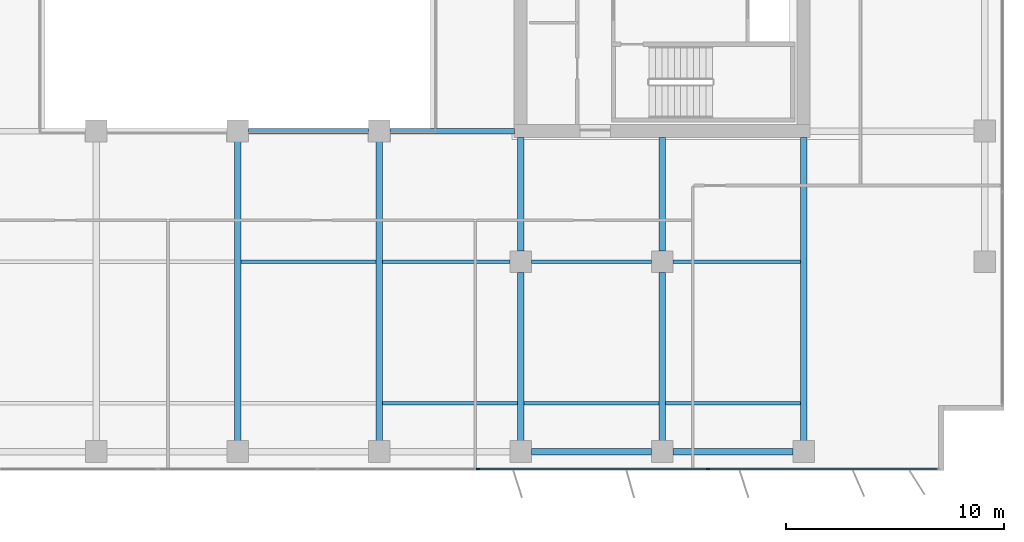
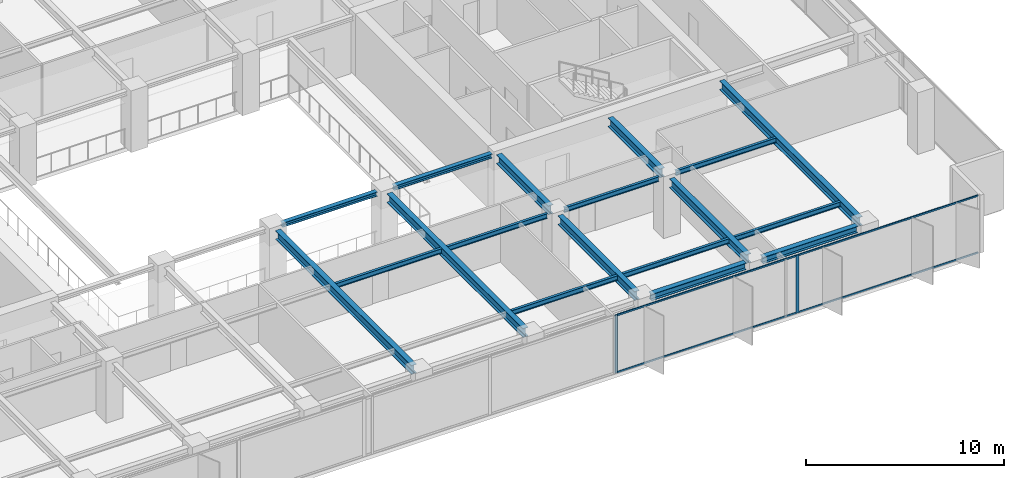
# One storey, part 6 of 22: 18 beams, 6 members, 1 element without a shape of its own.
"""IFC4 building model written with IfcOpenShell, lengths in metres."""

from ifc_helpers import new_model, si_unit, direction, frame, origin, origin_2d, place, context, subcontext, project, spatial, rectangle, i_section, extrude, material, layer, layer_set, material_profile, profile_set, type_object, element, aggregate, save


model = new_model("IFC4")

# Units and contexts
model_context = context("Model", 3, precision=1e-05, world=origin(), true_north=direction((0.0, 1.0)))
body_context = subcontext(model_context, "Body", "Model", "MODEL_VIEW")
ifc_project = project(units=[si_unit("LENGTHUNIT", "METRE"), si_unit("AREAUNIT", "SQUARE_METRE"), si_unit("VOLUMEUNIT", "CUBIC_METRE"), si_unit("PLANEANGLEUNIT", "RADIAN"), si_unit("MASSUNIT", "GRAM", prefix="KILO")], contexts=[model_context])

# Site, building, storey
site_placement = place(None, origin())
site = spatial("IfcSite", under=ifc_project, at=site_placement, CompositionType="ELEMENT")
building_placement = place(site_placement, origin())
building = spatial("IfcBuilding", under=site, at=building_placement, Name="Putna Gate Headquarters", CompositionType="ELEMENT")
storey_placement = place(building_placement, frame((0.0, 0.0, 155.60009765625)))
storey = spatial("IfcBuildingStorey", under=building, at=storey_placement, Name="L38", CompositionType="ELEMENT", Elevation=155.60009765625)

# Beams
ifc_material_1 = material(Name="Steel S355J2", Category="steel")
ifc_material_profile_1 = material_profile(ifc_material_1, i_section(OverallWidth=0.260009765625, OverallDepth=0.260009765625, WebThickness=0.010009765625, FlangeThickness=0.017578125, at=origin_2d()), Name="Steel S355J2")
ifc_profile_set_1 = profile_set([ifc_material_profile_1], Name="Steel S355J2")
beam_type_1 = type_object("IfcBeamType", Name="BM-ATRIUM-HEB260", PredefinedType="BEAM", material=ifc_profile_set_1)
beam_1_placement = place(storey_placement, frame((39.488037109375, 19.0, 3.44189453125), z_axis=(1.0, 0.0, 0.0), x_axis=(0.0, 1.0, 0.0)))
element("IfcBeam", 1, at=beam_1_placement, inside=storey, type_object=beam_type_1, Name="L38 Atrium Edge Beam AS3", PredefinedType="BEAM", context=body_context, shape_type="SweptSolid", body=[
    extrude(i_section(OverallWidth=0.260009765625, OverallDepth=0.260009765625, WebThickness=0.010009765625, FlangeThickness=0.017578125, at=origin_2d()), origin(), (0.0, 0.0, 1.0), 5.52392578125),
])
beam_2_placement = place(storey_placement, frame((45.988037109375, 19.0, 3.44189453125), z_axis=(1.0, 0.0, 0.0), x_axis=(0.0, 1.0, 0.0)))
element("IfcBeam", 2, at=beam_2_placement, inside=storey, type_object=beam_type_1, Name="L38 Atrium Edge Beam AS4", PredefinedType="BEAM", context=body_context, shape_type="SweptSolid", body=[
    extrude(i_section(OverallWidth=0.260009765625, OverallDepth=0.260009765625, WebThickness=0.010009765625, FlangeThickness=0.017578125, at=origin_2d()), origin(), (0.0, 0.0, 1.0), 5.72705078125),
])
ifc_material_profile_2 = material_profile(ifc_material_1, i_section(OverallWidth=0.300048828125, OverallDepth=0.550048828125, WebThickness=0.014892578125, FlangeThickness=0.029052734375, at=origin_2d()), Name="Steel S355J2")
ifc_profile_set_2 = profile_set([ifc_material_profile_2], Name="Steel S355J2")
beam_type_2 = type_object("IfcBeamType", Name="BM-GIRD-Z3-HEB550", PredefinedType="USERDEFINED", material=ifc_profile_set_2)
for number, where, z_axis, x_axis, name in (
    (3, (39.0, 4.76806640625, 3.296875), (0.0, 1.0, 0.0), (-1.0, 0.0, 0.0), "L38 South Primary Girder X39"),
    (4, (45.5, 4.76806640625, 3.296875), (0.0, 1.0, 0.0), (-1.0, 0.0, 0.0), "L38 South Primary Girder X45"),
):
    element("IfcBeam", number, at=place(storey_placement, frame(where, z_axis=z_axis, x_axis=x_axis)), inside=storey, type_object=beam_type_2, Name=name, ObjectType="GIRDER", PredefinedType="USERDEFINED", context=body_context, shape_type="SweptSolid", body=[
        extrude(i_section(OverallWidth=0.300048828125, OverallDepth=0.550048828125, WebThickness=0.014892578125, FlangeThickness=0.029052734375, at=origin_2d()), origin(), (0.0, 0.0, 1.0), 13.743896484375),
    ])
beam_3_placement = place(storey_placement, frame((52.0, 4.76806640625, 3.296875), z_axis=(0.0, 1.0, 0.0), x_axis=(-1.0, 0.0, 0.0)))
element("IfcBeam", 5, at=beam_3_placement, inside=storey, type_object=beam_type_2, Name="L38 South Primary Girder X52-1", ObjectType="GIRDER", PredefinedType="USERDEFINED", context=body_context, shape_type="SweptSolid", body=[
    extrude(i_section(OverallWidth=0.300048828125, OverallDepth=0.550048828125, WebThickness=0.014892578125, FlangeThickness=0.029052734375, at=origin_2d()), origin(), (0.0, 0.0, 1.0), 7.743896484375),
])
beam_4_placement = place(storey_placement, frame((52.0, 13.488037109375, 3.296875), z_axis=(0.0, 1.0, 0.0), x_axis=(-1.0, 0.0, 0.0)))
element("IfcBeam", 6, at=beam_4_placement, inside=storey, type_object=beam_type_2, Name="L38 South Primary Girder X52-2", ObjectType="GIRDER", PredefinedType="USERDEFINED", context=body_context, shape_type="SweptSolid", body=[
    extrude(i_section(OverallWidth=0.300048828125, OverallDepth=0.550048828125, WebThickness=0.014892578125, FlangeThickness=0.029052734375, at=origin_2d()), origin(), (0.0, 0.0, 1.0), 5.22705078125),
])
beam_5_placement = place(storey_placement, frame((58.5, 4.76806640625, 3.296875), z_axis=(0.0, 1.0, 0.0), x_axis=(-1.0, 0.0, 0.0)))
element("IfcBeam", 7, at=beam_5_placement, inside=storey, type_object=beam_type_2, Name="L38 South Primary Girder X58-1", ObjectType="GIRDER", PredefinedType="USERDEFINED", context=body_context, shape_type="SweptSolid", body=[
    extrude(i_section(OverallWidth=0.300048828125, OverallDepth=0.550048828125, WebThickness=0.014892578125, FlangeThickness=0.029052734375, at=origin_2d()), origin(), (0.0, 0.0, 1.0), 7.743896484375),
])
beam_6_placement = place(storey_placement, frame((58.5, 13.488037109375, 3.296875), z_axis=(0.0, 1.0, 0.0), x_axis=(-1.0, 0.0, 0.0)))
element("IfcBeam", 8, at=beam_6_placement, inside=storey, type_object=beam_type_2, Name="L38 South Primary Girder X58-2", ObjectType="GIRDER", PredefinedType="USERDEFINED", context=body_context, shape_type="SweptSolid", body=[
    extrude(i_section(OverallWidth=0.300048828125, OverallDepth=0.550048828125, WebThickness=0.014892578125, FlangeThickness=0.029052734375, at=origin_2d()), origin(), (0.0, 0.0, 1.0), 5.22705078125),
])
beam_7_placement = place(storey_placement, frame((65.0, 4.76806640625, 3.296875), z_axis=(0.0, 1.0, 0.0), x_axis=(-1.0, 0.0, 0.0)))
element("IfcBeam", 9, at=beam_7_placement, inside=storey, type_object=beam_type_2, Name="L38 South Primary Girder X65", ObjectType="GIRDER", PredefinedType="USERDEFINED", context=body_context, shape_type="SweptSolid", body=[
    extrude(i_section(OverallWidth=0.300048828125, OverallDepth=0.550048828125, WebThickness=0.014892578125, FlangeThickness=0.029052734375, at=origin_2d()), origin(), (0.0, 0.0, 1.0), 13.947021484375),
])
ifc_material_profile_3 = material_profile(ifc_material_1, i_section(OverallWidth=0.14990234375, OverallDepth=0.300048828125, WebThickness=0.007080078125, FlangeThickness=0.0107421875, at=origin_2d()), Name="Steel S355J2")
ifc_profile_set_3 = profile_set([ifc_material_profile_3], Name="Steel S355J2")
beam_type_3 = type_object("IfcBeamType", Name="BM-SEC-Z3-IPE300", PredefinedType="JOIST", material=ifc_profile_set_3)
for number, where, z_axis, x_axis, name in (
    (10, (39.154052734375, 13.0, 3.421875), (1.0, 0.0, 0.0), (0.0, 1.0, 0.0), "L38 South Secondary Beam 5"),
    (11, (45.654052734375, 6.5, 3.421875), (1.0, 0.0, 0.0), (0.0, 1.0, 0.0), "L38 South Secondary Beam 6"),
):
    element("IfcBeam", number, at=place(storey_placement, frame(where, z_axis=z_axis, x_axis=x_axis)), inside=storey, type_object=beam_type_3, Name=name, PredefinedType="JOIST", context=body_context, shape_type="SweptSolid", body=[
        extrude(i_section(OverallWidth=0.14990234375, OverallDepth=0.300048828125, WebThickness=0.007080078125, FlangeThickness=0.0107421875, at=origin_2d()), origin(), (0.0, 0.0, 1.0), 6.19189453125),
    ])
beam_8_placement = place(storey_placement, frame((45.654052734375, 13.0, 3.421875), z_axis=(1.0, 0.0, 0.0), x_axis=(0.0, 1.0, 0.0)))
element("IfcBeam", 12, at=beam_8_placement, inside=storey, type_object=beam_type_3, Name="L38 South Secondary Beam 6", PredefinedType="JOIST", context=body_context, shape_type="SweptSolid", body=[
    extrude(i_section(OverallWidth=0.14990234375, OverallDepth=0.300048828125, WebThickness=0.007080078125, FlangeThickness=0.0107421875, at=origin_2d()), origin(), (0.0, 0.0, 1.0), 5.85791015625),
])
beam_9_placement = place(storey_placement, frame((52.154052734375, 6.5, 3.421875), z_axis=(1.0, 0.0, 0.0), x_axis=(0.0, 1.0, 0.0)))
element("IfcBeam", 13, at=beam_9_placement, inside=storey, type_object=beam_type_3, Name="L38 South Secondary Beam 7", PredefinedType="JOIST", context=body_context, shape_type="SweptSolid", body=[
    extrude(i_section(OverallWidth=0.14990234375, OverallDepth=0.300048828125, WebThickness=0.007080078125, FlangeThickness=0.0107421875, at=origin_2d()), origin(), (0.0, 0.0, 1.0), 6.19189453125),
])
beam_10_placement = place(storey_placement, frame((52.488037109375, 13.0, 3.421875), z_axis=(1.0, 0.0, 0.0), x_axis=(0.0, 1.0, 0.0)))
element("IfcBeam", 14, at=beam_10_placement, inside=storey, type_object=beam_type_3, Name="L38 South Secondary Beam 7", PredefinedType="JOIST", context=body_context, shape_type="SweptSolid", body=[
    extrude(i_section(OverallWidth=0.14990234375, OverallDepth=0.300048828125, WebThickness=0.007080078125, FlangeThickness=0.0107421875, at=origin_2d()), origin(), (0.0, 0.0, 1.0), 5.52392578125),
])
beam_11_placement = place(storey_placement, frame((58.654052734375, 6.5, 3.421875), z_axis=(1.0, 0.0, 0.0), x_axis=(0.0, 1.0, 0.0)))
element("IfcBeam", 15, at=beam_11_placement, inside=storey, type_object=beam_type_3, Name="L38 South Secondary Beam 8", PredefinedType="JOIST", context=body_context, shape_type="SweptSolid", body=[
    extrude(i_section(OverallWidth=0.14990234375, OverallDepth=0.300048828125, WebThickness=0.007080078125, FlangeThickness=0.0107421875, at=origin_2d()), origin(), (0.0, 0.0, 1.0), 6.19189453125),
])
beam_12_placement = place(storey_placement, frame((58.988037109375, 13.0, 3.421875), z_axis=(1.0, 0.0, 0.0), x_axis=(0.0, 1.0, 0.0)))
element("IfcBeam", 16, at=beam_12_placement, inside=storey, type_object=beam_type_3, Name="L38 South Secondary Beam 8", PredefinedType="JOIST", context=body_context, shape_type="SweptSolid", body=[
    extrude(i_section(OverallWidth=0.14990234375, OverallDepth=0.300048828125, WebThickness=0.007080078125, FlangeThickness=0.0107421875, at=origin_2d()), origin(), (0.0, 0.0, 1.0), 5.85791015625),
])
ifc_material_profile_4 = material_profile(ifc_material_1, i_section(OverallWidth=0.300048828125, OverallDepth=0.39990234375, WebThickness=0.013427734375, FlangeThickness=0.02392578125, at=origin_2d()), Name="Steel S355J2")
ifc_profile_set_4 = profile_set([ifc_material_profile_4], Name="Steel S355J2")
beam_type_4 = type_object("IfcBeamType", Name="BM-SPAN-Z3-HEB400", PredefinedType="SPANDREL", material=ifc_profile_set_4)
for number, where, z_axis, x_axis, name in (
    (17, (52.488037109375, 4.280029296875, 3.371826171875), (1.0, 0.0, 0.0), (0.0, 1.0, 0.0), "L38 S Perimeter Spandrel 7"),
    (18, (58.988037109375, 4.280029296875, 3.371826171875), (1.0, 0.0, 0.0), (0.0, 1.0, 0.0), "L38 S Perimeter Spandrel 8"),
):
    element("IfcBeam", number, at=place(storey_placement, frame(where, z_axis=z_axis, x_axis=x_axis)), inside=storey, type_object=beam_type_4, Name=name, PredefinedType="SPANDREL", context=body_context, shape_type="SweptSolid", body=[
        extrude(i_section(OverallWidth=0.300048828125, OverallDepth=0.39990234375, WebThickness=0.013427734375, FlangeThickness=0.02392578125, at=origin_2d()), origin(), (0.0, 0.0, 1.0), 5.52392578125),
    ])

# Curtain wall, members
ifc_material_2 = material(Name="Anodised bronze aluminium curtain wall", Category="aluminium")
ifc_layer = layer(ifc_material_2, 0.159912109375)
ifc_layer_set = layer_set([ifc_layer], Name="Anodised bronze aluminium curtain wall")
curtain_wall_type = type_object("IfcCurtainWallType", Name="CW-SYS-Z3", PredefinedType="USERDEFINED", material=ifc_layer_set)
curtain_wall_placement = place(storey_placement, origin())
curtain_wall = element("IfcCurtainWall", 19, at=curtain_wall_placement, inside=storey, type_object=curtain_wall_type, Name="L38 South East Curtain Wall", ObjectType="STICK CURTAIN WALL", PredefinedType="USERDEFINED")
ifc_material_3 = material(Name="Anodised bronze aluminium EN AW-6060", Category="aluminium")
ifc_material_profile_5 = material_profile(ifc_material_3, rectangle(XDim=0.06494140625, YDim=0.159912109375, at=origin_2d()), Name="Anodised bronze aluminium EN AW-6060")
ifc_profile_set_5 = profile_set([ifc_material_profile_5], Name="Anodised bronze aluminium EN AW-6060")
member_type_1 = type_object("IfcMemberType", Name="MULL-CWM-3", PredefinedType="MULLION", material=ifc_profile_set_5)
member_1_placement = place(storey_placement, frame((50.032470703125, 3.47998046875, 0.0), z_axis=(0.0, 0.0, 1.0), x_axis=(0.0, 1.0, 0.0)))
member_1 = element("IfcMember", 20, at=member_1_placement, type_object=member_type_1, Name="CWS-3 mullion 1", PredefinedType="MULLION", context=body_context, shape_type="SweptSolid", body=[
    extrude(rectangle(XDim=0.06494140625, YDim=0.159912109375, at=origin_2d()), origin(), (0.0, 0.0, 1.0), 3.572021484375),
])
member_2_placement = place(storey_placement, frame((60.60009765625, 3.47998046875, 0.0), z_axis=(0.0, 0.0, 1.0), x_axis=(0.0, 1.0, 0.0)))
member_2 = element("IfcMember", 21, at=member_2_placement, type_object=member_type_1, Name="CWS-3 mullion 2", PredefinedType="MULLION", context=body_context, shape_type="SweptSolid", body=[
    extrude(rectangle(XDim=0.06494140625, YDim=0.159912109375, at=origin_2d()), origin(), (0.0, 0.0, 1.0), 3.572021484375),
])
ifc_material_profile_6 = material_profile(ifc_material_3, rectangle(XDim=0.06005859375, YDim=0.10009765625, at=origin_2d()), Name="Anodised bronze aluminium EN AW-6060")
ifc_profile_set_6 = profile_set([ifc_material_profile_6], Name="Anodised bronze aluminium EN AW-6060")
member_type_2 = type_object("IfcMemberType", Name="TRAN-CWT-3", PredefinedType="USERDEFINED", material=ifc_profile_set_6)
member_3_placement = place(storey_placement, frame((50.06494140625, 3.47998046875, 0.02978515625), z_axis=(1.0, 0.0, 0.0), x_axis=(0.0, 1.0, 0.0)))
member_3 = element("IfcMember", 22, at=member_3_placement, type_object=member_type_2, Name="CWS-3 transom 1.1", ObjectType="TRANSOM", PredefinedType="USERDEFINED", context=body_context, shape_type="SweptSolid", body=[
    extrude(rectangle(XDim=0.06005859375, YDim=0.10009765625, at=origin_2d()), origin(), (0.0, 0.0, 1.0), 10.50244140625),
])
member_4_placement = place(storey_placement, frame((50.06494140625, 3.47998046875, 3.5419921875), z_axis=(1.0, 0.0, 0.0), x_axis=(0.0, 1.0, 0.0)))
member_4 = element("IfcMember", 23, at=member_4_placement, type_object=member_type_2, Name="CWS-3 transom 1.2", ObjectType="TRANSOM", PredefinedType="USERDEFINED", context=body_context, shape_type="SweptSolid", body=[
    extrude(rectangle(XDim=0.06005859375, YDim=0.10009765625, at=origin_2d()), origin(), (0.0, 0.0, 1.0), 10.50244140625),
])
member_5_placement = place(storey_placement, frame((60.632568359375, 3.47998046875, 0.02978515625), z_axis=(1.0, 0.0, 0.0), x_axis=(0.0, 1.0, 0.0)))
member_5 = element("IfcMember", 24, at=member_5_placement, type_object=member_type_2, Name="CWS-3 transom 2.1", ObjectType="TRANSOM", PredefinedType="USERDEFINED", context=body_context, shape_type="SweptSolid", body=[
    extrude(rectangle(XDim=0.06005859375, YDim=0.10009765625, at=origin_2d()), origin(), (0.0, 0.0, 1.0), 10.50244140625),
])
member_6_placement = place(storey_placement, frame((60.632568359375, 3.47998046875, 3.5419921875), z_axis=(1.0, 0.0, 0.0), x_axis=(0.0, 1.0, 0.0)))
member_6 = element("IfcMember", 25, at=member_6_placement, type_object=member_type_2, Name="CWS-3 transom 2.2", ObjectType="TRANSOM", PredefinedType="USERDEFINED", context=body_context, shape_type="SweptSolid", body=[
    extrude(rectangle(XDim=0.06005859375, YDim=0.10009765625, at=origin_2d()), origin(), (0.0, 0.0, 1.0), 10.50244140625),
])
aggregate(curtain_wall, [member_1, member_2, member_3, member_4, member_5, member_6])

save(model, "model.ifc")
